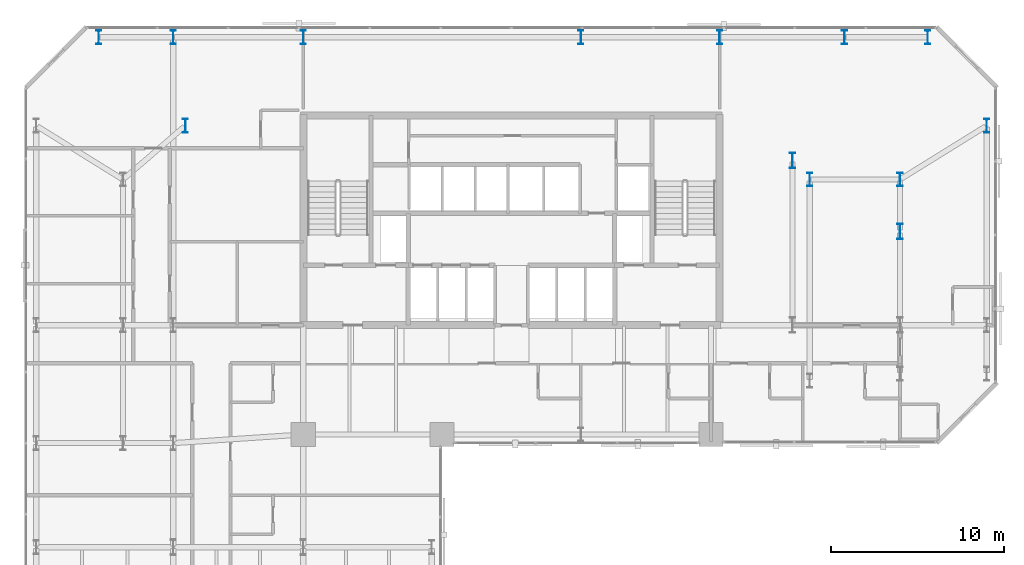
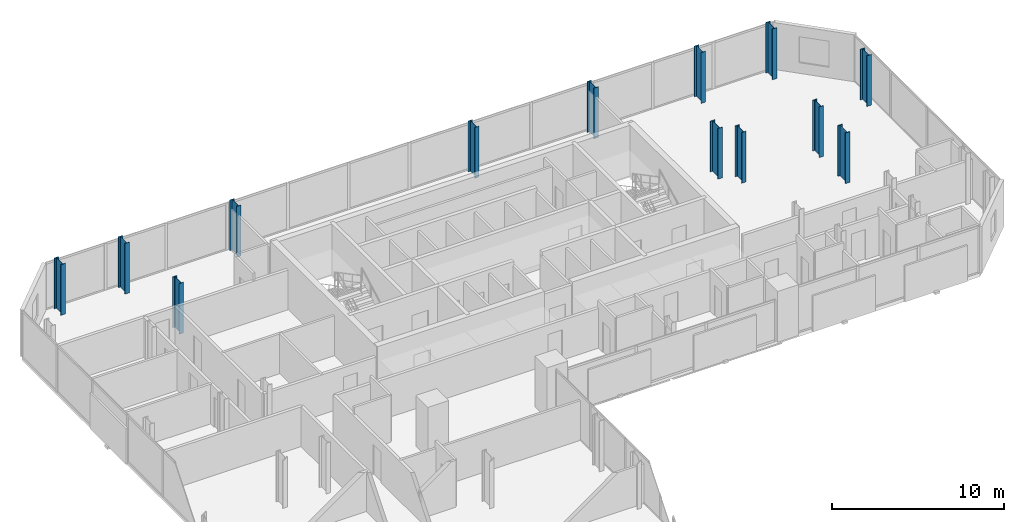
# One storey, part 2 of 33: 13 columns.
"""IFC4 building model written with IfcOpenShell, lengths in metres."""

from ifc_helpers import new_model, si_unit, direction, frame, origin, origin_2d, place, context, subcontext, project, spatial, i_section, extrude, material, material_profile, profile_set, type_object, element, save


model = new_model("IFC4")

# Units and contexts
model_context = context("Model", 3, precision=1e-05, world=origin(), true_north=direction((0.0, 1.0)))
body_context = subcontext(model_context, "Body", "Model", "MODEL_VIEW")
ifc_project = project(units=[si_unit("LENGTHUNIT", "METRE"), si_unit("AREAUNIT", "SQUARE_METRE"), si_unit("VOLUMEUNIT", "CUBIC_METRE"), si_unit("PLANEANGLEUNIT", "RADIAN"), si_unit("MASSUNIT", "GRAM", prefix="KILO")], contexts=[model_context])

# Site, building, storey
site_placement = place(None, origin())
site = spatial("IfcSite", under=ifc_project, at=site_placement, CompositionType="ELEMENT")
building_placement = place(site_placement, origin())
building = spatial("IfcBuilding", under=site, at=building_placement, Name="Catumbela Crestline Tower", CompositionType="ELEMENT")
storey_placement = place(building_placement, frame((0.0, 0.0, 58.2)))
storey = spatial("IfcBuildingStorey", under=building, at=storey_placement, Name="L14", CompositionType="ELEMENT", Elevation=58.2)

# Columns
ifc_material = material(Name="Structural steel S460M", Category="steel")
ifc_material_profile_1 = material_profile(ifc_material, i_section(OverallWidth=0.3, OverallDepth=0.8, WebThickness=0.0175, FlangeThickness=0.033, FilletRadius=0.03, at=origin_2d()), Name="HEB 800")
ifc_profile_set_1 = profile_set([ifc_material_profile_1], Name="Structural steel S460M")
column_type_1 = type_object("IfcColumnType", Name="C-ST-HEB800", PredefinedType="COLUMN", material=ifc_profile_set_1)
for number, where, z_axis, x_axis, name in (
    (1, (9.2, 42.3, 0.0), (0.0, 0.0, 1.0), (1.0, 0.0, 0.0), "L14 Column C-08-43 (HEB 800)"),
    (2, (45.2, 39.2, 0.0), (0.0, 0.0, 1.0), (1.0, 0.0, 0.0), "L14 Column C-46-43 (HEB 800)"),
    (3, (4.2, 47.4, 0.0), (0.0, 0.0, 1.0), (1.0, 0.0, 0.0), "L14 Column C-00-48 (HEB 800)"),
    (4, (8.5, 47.4, 0.0), (0.0, 0.0, 1.0), (1.0, 0.0, 0.0), "L14 Column C-08-48 (HEB 800)"),
    (5, (16.0, 47.4, 0.0), (0.0, 0.0, 1.0), (1.0, 0.0, 0.0), "L14 Column C-16-48 (HEB 800)"),
    (6, (32.0, 47.4, 0.0), (0.0, 0.0, 1.0), (1.0, 0.0, 0.0), "L14 Column C-32-48 (HEB 800)"),
    (7, (40.0, 47.4, 0.0), (0.0, 0.0, 1.0), (1.0, 0.0, 0.0), "L14 Column C-40-48 (HEB 800)"),
    (8, (47.2, 47.4, 0.0), (0.0, 0.0, 1.0), (1.0, 0.0, 0.0), "L14 Column C-48-48 (HEB 800)"),
    (9, (50.4, 39.2, 0.0), (0.0, 0.0, 1.0), (1.0, 0.0, 0.0), "L14 Column C-51-43 (HEB 800)"),
    (10, (55.4, 42.3, 0.0), (0.0, 0.0, 1.0), (1.0, 0.0, 0.0), "L14 Column C-56-43 (HEB 800)"),
    (11, (52.0, 47.4, 0.0), (0.0, 0.0, 1.0), (1.0, 0.0, 0.0), "L14 Column C-56-48 (HEB 800)"),
):
    element("IfcColumn", number, at=place(storey_placement, frame(where, z_axis=z_axis, x_axis=x_axis)), inside=storey, type_object=column_type_1, Name=name, PredefinedType="COLUMN", context=body_context, shape_type="SweptSolid", body=[
        extrude(i_section(OverallWidth=0.3, OverallDepth=0.8, WebThickness=0.0175, FlangeThickness=0.033, FilletRadius=0.03, at=origin_2d()), origin(), (0.0, 0.0, 1.0), 3.6),
    ])
ifc_material_profile_2 = material_profile(ifc_material, i_section(OverallWidth=0.3, OverallDepth=0.9, WebThickness=0.0185, FlangeThickness=0.035, FilletRadius=0.03, at=origin_2d()), Name="HEB 900")
ifc_profile_set_2 = profile_set([ifc_material_profile_2], Name="Structural steel S460M")
column_type_2 = type_object("IfcColumnType", Name="C-ST-HEB900", PredefinedType="COLUMN", material=ifc_profile_set_2)
for number, where, z_axis, x_axis, name in (
    (12, (44.2, 40.3, 0.0), (0.0, 0.0, 1.0), (1.0, 0.0, 0.0), "L14 Column CT-46-37 (HEB 900)"),
    (13, (50.4, 36.2, 0.0), (0.0, 0.0, 1.0), (1.0, 0.0, 0.0), "L14 Column CT-51-37 (HEB 900)"),
):
    element("IfcColumn", number, at=place(storey_placement, frame(where, z_axis=z_axis, x_axis=x_axis)), inside=storey, type_object=column_type_2, Name=name, PredefinedType="COLUMN", context=body_context, shape_type="SweptSolid", body=[
        extrude(i_section(OverallWidth=0.3, OverallDepth=0.9, WebThickness=0.0185, FlangeThickness=0.035, FilletRadius=0.03, at=origin_2d()), origin(), (0.0, 0.0, 1.0), 3.6),
    ])

save(model, "model.ifc")
